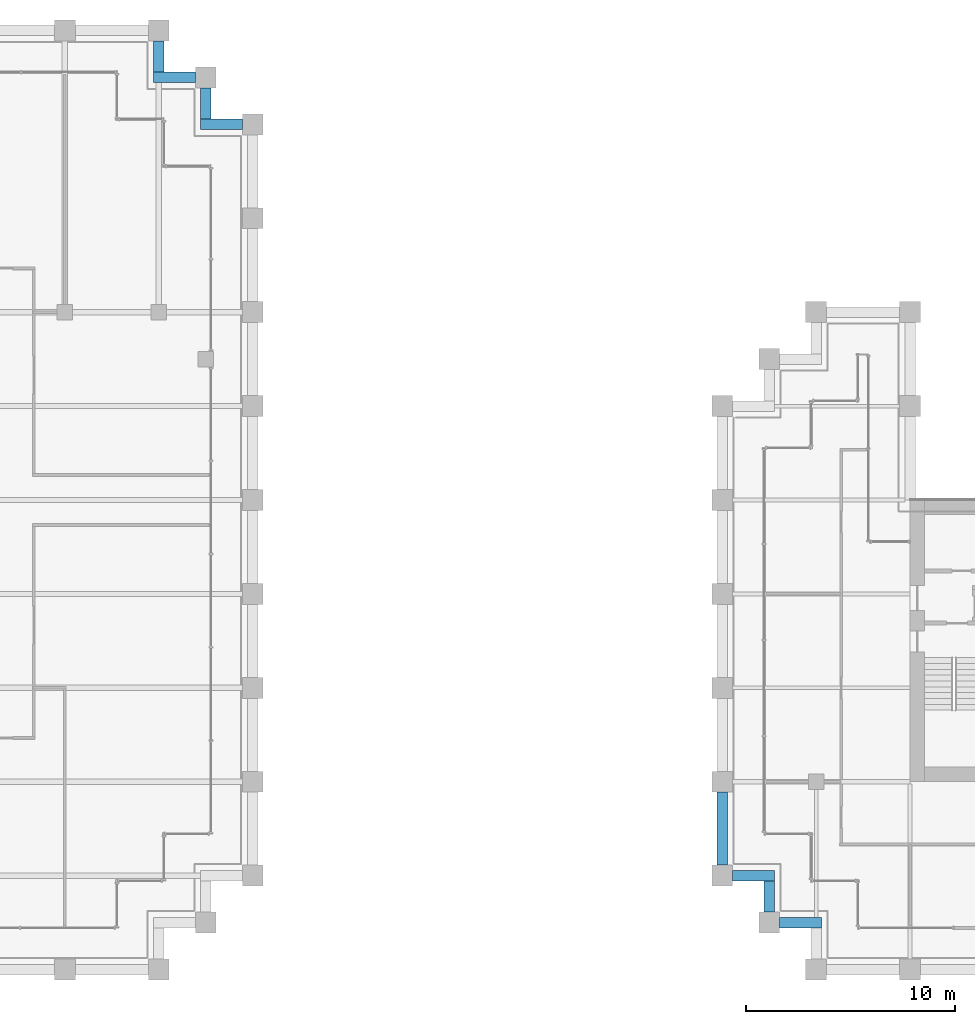
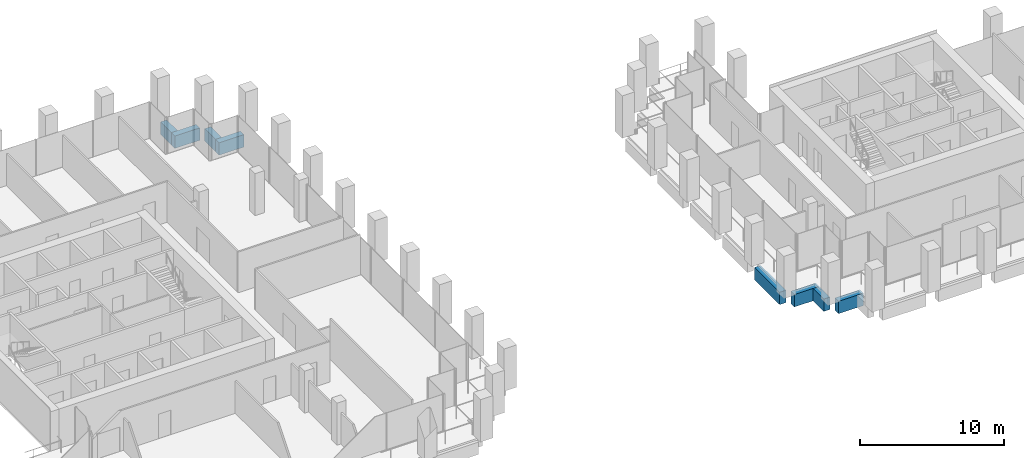
# One storey, part 27 of 46: 8 beams.
"""IFC4 building model written with IfcOpenShell, lengths in metres."""

from ifc_helpers import new_model, si_unit, direction, frame, origin, origin_2d, place, context, subcontext, project, spatial, rectangle, extrude, material, material_profile, profile_set, type_object, element, save


model = new_model("IFC4")

# Units and contexts
model_context = context("Model", 3, precision=1e-05, world=origin(), true_north=direction((0.0, 1.0)))
body_context = subcontext(model_context, "Body", "Model", "MODEL_VIEW")
ifc_project = project(units=[si_unit("LENGTHUNIT", "METRE"), si_unit("AREAUNIT", "SQUARE_METRE"), si_unit("VOLUMEUNIT", "CUBIC_METRE"), si_unit("PLANEANGLEUNIT", "RADIAN"), si_unit("MASSUNIT", "GRAM", prefix="KILO")], contexts=[model_context])

# Site, building, storey
site_placement = place(None, origin())
site = spatial("IfcSite", under=ifc_project, at=site_placement, CompositionType="ELEMENT")
building_placement = place(site_placement, origin())
building = spatial("IfcBuilding", under=site, at=building_placement, Name="Altepetl Exchange Towers", CompositionType="ELEMENT")
storey_placement = place(building_placement, frame((0.0, 0.0, 124.39990234375)))
storey = spatial("IfcBuildingStorey", under=building, at=storey_placement, Name="L30", CompositionType="ELEMENT", Elevation=124.39990234375)

# Beams
ifc_material_1 = material(Name="Concrete C50/60 precast with cantera rosa facing", Category="concrete")
ifc_material_profile_1 = material_profile(ifc_material_1, rectangle(XDim=0.5, YDim=1.050048828125, at=origin_2d()), Name="500 x 1050")
ifc_profile_set_1 = profile_set([ifc_material_profile_1], Name="Concrete C50/60 precast with cantera rosa facing")
beam_type_1 = type_object("IfcBeamType", Name="Spandrel beam 500x1050 cantera rosa", PredefinedType="SPANDREL", material=ifc_profile_set_1)
beam_1_placement = place(storey_placement, frame((71.5, 67.5, -0.6748046875), z_axis=(-1.0, 0.0, 0.0), x_axis=(0.0, -1.0, 0.0)))
element("IfcBeam", 1, at=beam_1_placement, inside=storey, type_object=beam_type_1, Name="sp:A:L30:020", PredefinedType="SPANDREL", context=body_context, shape_type="SweptSolid", body=[
    extrude(rectangle(XDim=0.5, YDim=1.050048828125, at=origin_2d()), origin(), (0.0, 0.0, 1.0), 2.0),
])
beam_2_placement = place(storey_placement, frame((69.75, 67.75, -0.6748046875), z_axis=(0.0, 1.0, 0.0), x_axis=(-1.0, 0.0, 0.0)))
element("IfcBeam", 2, at=beam_2_placement, inside=storey, type_object=beam_type_1, Name="sp:A:L30:021", PredefinedType="SPANDREL", context=body_context, shape_type="SweptSolid", body=[
    extrude(rectangle(XDim=0.5, YDim=1.050048828125, at=origin_2d()), origin(), (0.0, 0.0, 1.0), 1.5),
])
beam_3_placement = place(storey_placement, frame((69.25, 69.75, -0.6748046875), z_axis=(-1.0, 0.0, 0.0), x_axis=(0.0, -1.0, 0.0)))
element("IfcBeam", 3, at=beam_3_placement, inside=storey, type_object=beam_type_1, Name="sp:A:L30:022", PredefinedType="SPANDREL", context=body_context, shape_type="SweptSolid", body=[
    extrude(rectangle(XDim=0.5, YDim=1.050048828125, at=origin_2d()), origin(), (0.0, 0.0, 1.0), 2.0),
])
beam_4_placement = place(storey_placement, frame((67.5, 70.0, -0.6748046875), z_axis=(0.0, 1.0, 0.0), x_axis=(-1.0, 0.0, 0.0)))
element("IfcBeam", 4, at=beam_4_placement, inside=storey, type_object=beam_type_1, Name="sp:A:L30:023", PredefinedType="SPANDREL", context=body_context, shape_type="SweptSolid", body=[
    extrude(rectangle(XDim=0.5, YDim=1.050048828125, at=origin_2d()), origin(), (0.0, 0.0, 1.0), 1.5),
])
ifc_material_2 = material(Name="Concrete C50/60 precast with tezontle facing", Category="concrete")
ifc_material_profile_2 = material_profile(ifc_material_2, rectangle(XDim=0.5, YDim=1.050048828125, at=origin_2d()), Name="500 x 1050")
ifc_profile_set_2 = profile_set([ifc_material_profile_2], Name="Concrete C50/60 precast with tezontle facing")
beam_type_2 = type_object("IfcBeamType", Name="Spandrel beam 500x1050 tezontle", PredefinedType="SPANDREL", material=ifc_profile_set_2)
beam_5_placement = place(storey_placement, frame((94.5, 35.5, -0.6748046875), z_axis=(0.0, -1.0, 0.0), x_axis=(1.0, 0.0, 0.0)))
element("IfcBeam", 5, at=beam_5_placement, inside=storey, type_object=beam_type_2, Name="sp:B:L30:026", PredefinedType="SPANDREL", context=body_context, shape_type="SweptSolid", body=[
    extrude(rectangle(XDim=0.5, YDim=1.050048828125, at=origin_2d()), origin(), (0.0, 0.0, 1.0), 3.5),
])
beam_6_placement = place(storey_placement, frame((95.0, 31.5, -0.6748046875), z_axis=(1.0, 0.0, 0.0), x_axis=(0.0, 1.0, 0.0)))
element("IfcBeam", 6, at=beam_6_placement, inside=storey, type_object=beam_type_2, Name="sp:B:L30:027", PredefinedType="SPANDREL", context=body_context, shape_type="SweptSolid", body=[
    extrude(rectangle(XDim=0.5, YDim=1.050048828125, at=origin_2d()), origin(), (0.0, 0.0, 1.0), 2.0),
])
beam_7_placement = place(storey_placement, frame((96.75, 31.25, -0.6748046875), z_axis=(0.0, -1.0, 0.0), x_axis=(1.0, 0.0, 0.0)))
element("IfcBeam", 7, at=beam_7_placement, inside=storey, type_object=beam_type_2, Name="sp:B:L30:028", PredefinedType="SPANDREL", context=body_context, shape_type="SweptSolid", body=[
    extrude(rectangle(XDim=0.5, YDim=1.050048828125, at=origin_2d()), origin(), (0.0, 0.0, 1.0), 1.5),
])
beam_8_placement = place(storey_placement, frame((97.25, 29.25, -0.6748046875), z_axis=(1.0, 0.0, 0.0), x_axis=(0.0, 1.0, 0.0)))
element("IfcBeam", 8, at=beam_8_placement, inside=storey, type_object=beam_type_2, Name="sp:B:L30:029", PredefinedType="SPANDREL", context=body_context, shape_type="SweptSolid", body=[
    extrude(rectangle(XDim=0.5, YDim=1.050048828125, at=origin_2d()), origin(), (0.0, 0.0, 1.0), 2.0),
])

save(model, "model.ifc")
